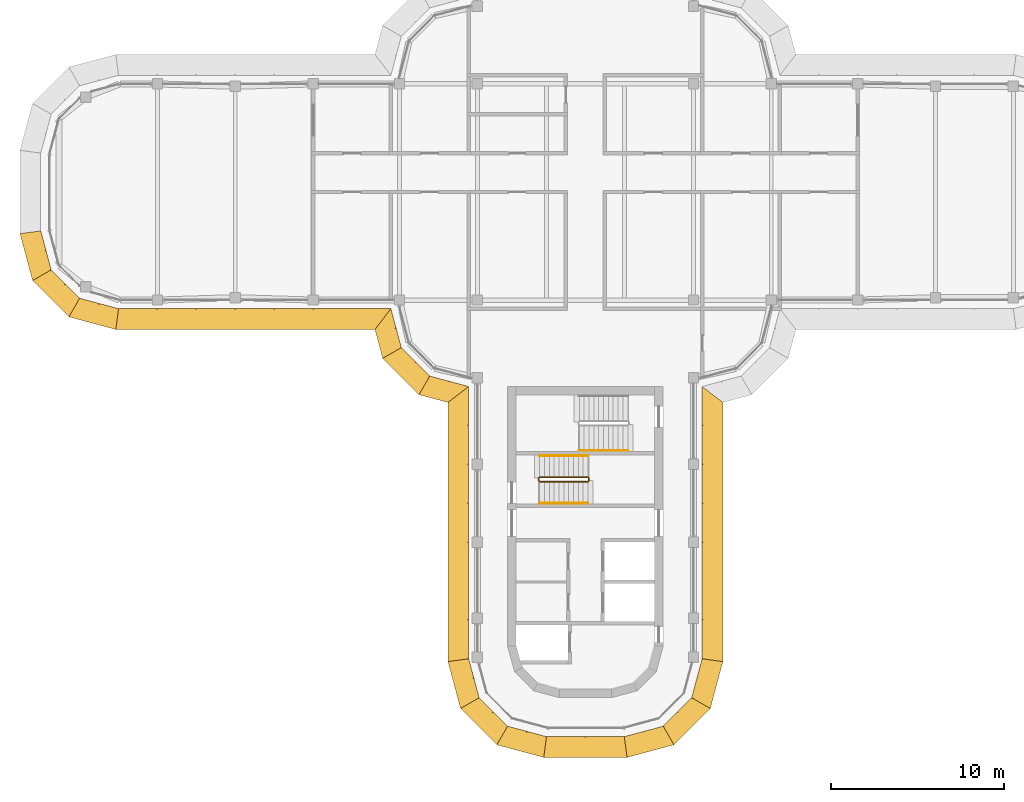
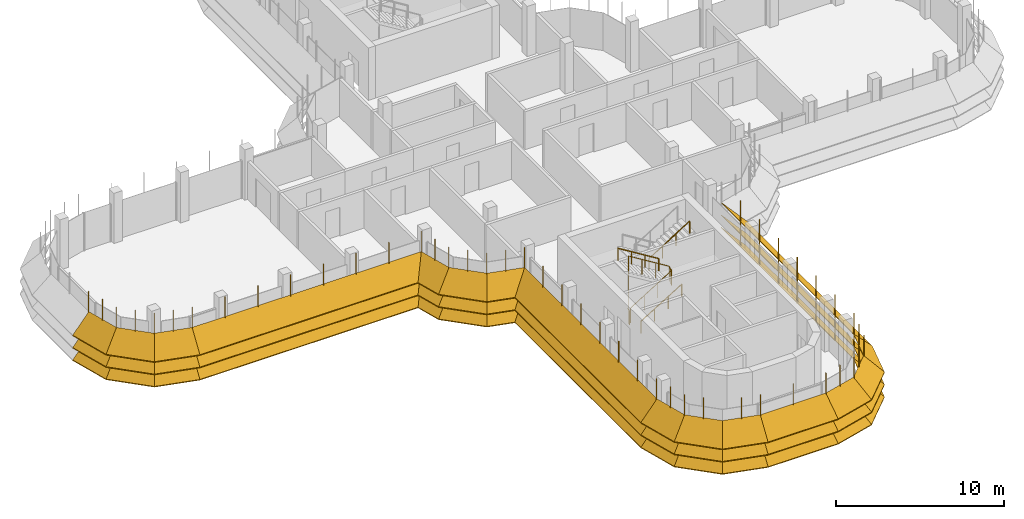
# One storey, part 16 of 19: 8 shading devices, 4 railings.
"""IFC4 building model written with IfcOpenShell, lengths in metres."""

from ifc_helpers import new_model, si_unit, direction, frame, origin, origin_2d, place, context, subcontext, project, spatial, polyline, circle, outline, extrude, faceted_brep, source, transform, mapped, material, type_object, element, save


model = new_model("IFC4")

# Units and contexts
model_context = context("Model", 3, precision=1e-05, world=origin(), true_north=direction((0.0, 1.0)))
body_context = subcontext(model_context, "Body", "Model", "MODEL_VIEW")
ifc_project = project(units=[si_unit("LENGTHUNIT", "METRE"), si_unit("AREAUNIT", "SQUARE_METRE"), si_unit("VOLUMEUNIT", "CUBIC_METRE"), si_unit("PLANEANGLEUNIT", "RADIAN"), si_unit("MASSUNIT", "GRAM", prefix="KILO")], contexts=[model_context])

# Site, building, storey
site_placement = place(None, origin())
site = spatial("IfcSite", under=ifc_project, at=site_placement, CompositionType="ELEMENT")
building_placement = place(site_placement, origin())
building = spatial("IfcBuilding", under=site, at=building_placement, Name="Zarbagh Exchange Tower", CompositionType="ELEMENT")
storey_placement = place(building_placement, frame((0.0, 0.0, 253.60009765625)))
storey = spatial("IfcBuildingStorey", under=building, at=storey_placement, Name="L62", CompositionType="ELEMENT", Elevation=253.60009765625)

# Railings
ifc_material_1 = material(Name="Stainless steel", Category="steel")
railing_type_1 = type_object("IfcRailingType", Name="Stair guard 1100 mm", PredefinedType="GUARDRAIL", material=ifc_material_1)
railing_1_placement = place(storey_placement, frame((-2.64990234375, -16.75, 0.172607421875)))
element("IfcRailing", 1, at=railing_1_placement, inside=storey, type_object=railing_type_1, Name="ST3 stair guard 1", PredefinedType="GUARDRAIL", context=body_context, shape_type="SweptSolid", body=[
    extrude(circle(Radius=0.02392578125, at=origin_2d()), frame((0.0, 0.0, 1.076171875), z_axis=(0.851069175582, 0.0, 0.525053576669), x_axis=(0.0, 1.0, 0.0)), (0.0, 0.0, 1.0), 3.289794921875),
    extrude(circle(Radius=0.02392578125, at=origin_2d()), frame((2.7998046875, 0.0, 2.80322265625), z_axis=(0.707106781187, 0.707106781187, 0.0), x_axis=(-0.707106781187, 0.707106781187, 0.0)), (0.0, 0.0, 1.0), 0.07080078125),
    extrude(circle(Radius=0.02392578125, at=origin_2d()), frame((2.849853515625, 0.050048828125, 2.80322265625), z_axis=(0.0, 1.0, 0.0), x_axis=(-1.0, 0.0, 0.0)), (0.0, 0.0, 1.0), 0.14990234375),
    extrude(circle(Radius=0.02392578125, at=origin_2d()), frame((2.849853515625, 0.199951171875, 2.80322265625), z_axis=(-0.268277960024, 0.268277960024, 0.925231793839), x_axis=(-0.707106781187, -0.707106781187, 0.0)), (0.0, 0.0, 1.0), 0.1865234375),
    extrude(circle(Radius=0.02392578125, at=origin_2d()), frame((2.7998046875, 0.25, 2.97607421875), z_axis=(-0.851069175582, 0.0, 0.525053576669), x_axis=(0.0, -1.0, 0.0)), (0.0, 0.0, 1.0), 3.289794921875),
    extrude(circle(Radius=0.02392578125, at=origin_2d()), frame((0.0, 0.25, 4.703125), z_axis=(-0.013169136761, -0.013169136761, -0.999826558796), x_axis=(0.707106781187, -0.707106781187, 0.0)), (0.0, 0.0, 1.0), 3.800537109375),
    extrude(circle(Radius=0.02392578125, at=origin_2d()), frame((-0.050048828125, 0.199951171875, 0.9033203125), z_axis=(0.0, -1.0, 0.0), x_axis=(1.0, 0.0, 0.0)), (0.0, 0.0, 1.0), 0.14990234375),
    extrude(circle(Radius=0.02099609375, at=origin_2d()), origin(), (0.0, 0.0, 1.0), 1.052001953125),
    extrude(circle(Radius=0.02099609375, at=origin_2d()), frame((0.933349609375, 0.0, 0.57568359375)), (0.0, 0.0, 1.0), 1.052001953125),
    extrude(circle(Radius=0.02099609375, at=origin_2d()), frame((1.866455078125, 0.0, 1.151611328125)), (0.0, 0.0, 1.0), 1.052001953125),
    extrude(circle(Radius=0.02099609375, at=origin_2d()), frame((2.7998046875, 0.0, 1.727294921875)), (0.0, 0.0, 1.0), 1.052001953125),
    extrude(circle(Radius=0.02099609375, at=origin_2d()), frame((2.849853515625, 0.050048828125, 1.727294921875)), (0.0, 0.0, 1.0), 1.052001953125),
    extrude(circle(Radius=0.02099609375, at=origin_2d()), frame((2.849853515625, 0.199951171875, 1.727294921875)), (0.0, 0.0, 1.0), 1.052001953125),
    extrude(circle(Radius=0.02099609375, at=origin_2d()), frame((2.7998046875, 0.25, 1.89990234375)), (0.0, 0.0, 1.0), 1.052001953125),
    extrude(circle(Radius=0.02099609375, at=origin_2d()), frame((1.866455078125, 0.25, 2.4755859375)), (0.0, 0.0, 1.0), 1.052001953125),
    extrude(circle(Radius=0.02099609375, at=origin_2d()), frame((0.933349609375, 0.25, 3.051513671875)), (0.0, 0.0, 1.0), 1.052001953125),
    extrude(circle(Radius=0.02099609375, at=origin_2d()), frame((0.0, 0.25, 3.627197265625)), (0.0, 0.0, 1.0), 1.052001953125),
    extrude(circle(Radius=0.02099609375, at=origin_2d()), frame((-0.012451171875, 0.237548828125, 2.67724609375)), (0.0, 0.0, 1.0), 1.052001953125),
    extrude(circle(Radius=0.02099609375, at=origin_2d()), frame((-0.02490234375, 0.22509765625, 1.727294921875)), (0.0, 0.0, 1.0), 1.052001953125),
    extrude(circle(Radius=0.02099609375, at=origin_2d()), frame((-0.03759765625, 0.21240234375, 0.77734375)), (0.0, 0.0, 1.0), 1.052001953125),
    extrude(circle(Radius=0.02099609375, at=origin_2d()), frame((-0.050048828125, 0.199951171875, -0.172607421875)), (0.0, 0.0, 1.0), 1.052001953125),
    extrude(circle(Radius=0.02099609375, at=origin_2d()), frame((-0.050048828125, 0.050048828125, -0.172607421875)), (0.0, 0.0, 1.0), 1.052001953125),
])
railing_type_2 = type_object("IfcRailingType", Name="Stair handrail 900 mm", PredefinedType="HANDRAIL", material=ifc_material_1)
railing_2_placement = place(storey_placement, frame((-2.64990234375, -18.0, 0.172607421875)))
element("IfcRailing", 2, at=railing_2_placement, inside=storey, type_object=railing_type_2, Name="ST3 stair handrail 1", PredefinedType="HANDRAIL", context=body_context, shape_type="SweptSolid", body=[
    extrude(circle(Radius=0.02392578125, at=origin_2d()), frame((0.0, 0.0, 0.8759765625), z_axis=(0.851069175582, 0.0, 0.525053576669), x_axis=(0.0, 1.0, 0.0)), (0.0, 0.0, 1.0), 3.289794921875),
    extrude(circle(Radius=0.02099609375, at=origin_2d()), origin(), (0.0, 0.0, 1.0), 0.851806640625),
    extrude(circle(Radius=0.02099609375, at=origin_2d()), frame((0.933349609375, 0.0, 0.57568359375)), (0.0, 0.0, 1.0), 0.851806640625),
    extrude(circle(Radius=0.02099609375, at=origin_2d()), frame((1.866455078125, 0.0, 1.151611328125)), (0.0, 0.0, 1.0), 0.851806640625),
    extrude(circle(Radius=0.02099609375, at=origin_2d()), frame((2.7998046875, 0.0, 1.727294921875)), (0.0, 0.0, 1.0), 0.851806640625),
])
railing_3_placement = place(storey_placement, frame((0.14990234375, -15.25, 2.072509765625)))
element("IfcRailing", 3, at=railing_3_placement, inside=storey, type_object=railing_type_2, Name="ST3 stair handrail 2", PredefinedType="HANDRAIL", context=body_context, shape_type="SweptSolid", body=[
    extrude(circle(Radius=0.02392578125, at=origin_2d()), frame((0.0, 0.0, 0.8759765625), z_axis=(-0.851069175582, 0.0, 0.525053576669), x_axis=(0.0, -1.0, 0.0)), (0.0, 0.0, 1.0), 3.289794921875),
    extrude(circle(Radius=0.02099609375, at=origin_2d()), origin(), (0.0, 0.0, 1.0), 0.851806640625),
    extrude(circle(Radius=0.02099609375, at=origin_2d()), frame((-0.933349609375, 0.0, 0.57568359375)), (0.0, 0.0, 1.0), 0.851806640625),
    extrude(circle(Radius=0.02099609375, at=origin_2d()), frame((-1.866455078125, 0.0, 1.151611328125)), (0.0, 0.0, 1.0), 0.851806640625),
    extrude(circle(Radius=0.02099609375, at=origin_2d()), frame((-2.7998046875, 0.0, 1.727294921875)), (0.0, 0.0, 1.0), 0.851806640625),
])
railing_4_placement = place(storey_placement, frame((-0.35009765625, -14.949951171875, 2.072509765625)))
element("IfcRailing", 4, at=railing_4_placement, inside=storey, type_object=railing_type_2, Name="ST4 stair handrail 2", PredefinedType="HANDRAIL", context=body_context, shape_type="SweptSolid", body=[
    extrude(circle(Radius=0.02392578125, at=origin_2d()), frame((0.0, 0.0, 0.8759765625), z_axis=(0.851089632645, 0.0, 0.525020415988), x_axis=(0.0, 1.0, 0.0)), (0.0, 0.0, 1.0), 3.2900390625),
    extrude(circle(Radius=0.02099609375, at=origin_2d()), origin(), (0.0, 0.0, 1.0), 0.851806640625),
    extrude(circle(Radius=0.02099609375, at=origin_2d()), frame((0.933349609375, 0.0, 0.57568359375)), (0.0, 0.0, 1.0), 0.851806640625),
    extrude(circle(Radius=0.02099609375, at=origin_2d()), frame((1.86669921875, 0.0, 1.151611328125)), (0.0, 0.0, 1.0), 0.851806640625),
    extrude(circle(Radius=0.02099609375, at=origin_2d()), frame((2.800048828125, 0.0, 1.727294921875)), (0.0, 0.0, 1.0), 0.851806640625),
])

# Shading devices
ifc_material_2 = material(Name="Anodised aluminium blades and brackets", Category="aluminium")
shading_device_type = type_object("IfcShadingDeviceType", Name="SUNSHADE louvre band, 45 degree blades", PredefinedType="JALOUSIE", material=ifc_material_2)
shared_shape_1 = source(origin(), body_context, "Body", "Brep", [
    faceted_brep([(0.0, 0.0, 0.0), (0.0, 0.0, -0.056640625), (-0.157958984375, -1.199951171875, -1.256591796875), (-0.157958984375, -1.199951171875, -1.199951171875), (2.65087890625, -1.199951171875, -1.199951171875), (2.65087890625, -1.199951171875, -1.256591796875), (2.329345703125, 0.0, -0.056640625), (2.329345703125, 0.0, 0.0)], [[[0, 1, 2, 3]], [[4, 5, 6, 7]], [[0, 7, 6, 1]], [[1, 6, 5, 2]], [[2, 5, 4, 3]], [[3, 4, 7, 0]]]),
])
shared_shape_2 = source(origin(), body_context, "Body", "Brep", [
    faceted_brep([(0.0, 0.0, 0.0), (0.0, 0.0, -0.056640625), (-0.321533203125, -1.199951171875, -1.256591796875), (-0.321533203125, -1.199951171875, -1.199951171875), (2.65087890625, -1.199951171875, -1.199951171875), (2.65087890625, -1.199951171875, -1.256591796875), (2.329345703125, 0.0, -0.056640625), (2.329345703125, 0.0, 0.0)], [[[0, 1, 2, 3]], [[4, 5, 6, 7]], [[0, 7, 6, 1]], [[1, 6, 5, 2]], [[2, 5, 4, 3]], [[3, 4, 7, 0]]]),
])
shared_shape_3 = source(origin(), body_context, "Body", "Brep", [
    faceted_brep([(0.0, 0.0, 0.0), (0.0, 0.0, -0.056640625), (-0.321533203125, -1.199951171875, -1.256591796875), (-0.321533203125, -1.199951171875, -1.199951171875), (2.4873046875, -1.199951171875, -1.199951171875), (2.4873046875, -1.199951171875, -1.256591796875), (2.329345703125, 0.0, -0.056640625), (2.329345703125, 0.0, 0.0)], [[[0, 1, 2, 3]], [[4, 5, 6, 7]], [[0, 7, 6, 1]], [[1, 6, 5, 2]], [[2, 5, 4, 3]], [[3, 4, 7, 0]]]),
])
shared_shape_4 = source(origin(), body_context, "Body", "SweptSolid", [
    extrude(outline(polyline([(0.0, -0.012451171875), (0.06005859375, -0.012451171875), (0.06005859375, 0.012451171875), (0.0, 0.012451171875), (0.0, -0.012451171875)])), origin(), (0.0, 0.0, 1.0), 3.366455078125),
])
placement = place(storey_placement, origin())
element("IfcShadingDevice", 5, at=placement, inside=storey, type_object=shading_device_type, Name="SS35 sunshade band", PredefinedType="JALOUSIE", context=body_context, shape_type="MappedRepresentation", body=[
    mapped(shared_shape_1, transform((2.25, -31.5, 2.2998046875), x_axis=(0.965924289636, 0.258824779902, 0.0), y_axis=(-0.258824779902, 0.965924289636, 0.0), z_axis=(0.0, 0.0, 1.0))),
    mapped(shared_shape_1, transform((2.25, -31.5, 1.39990234375), x_axis=(0.965924289636, 0.258824779902, 0.0), y_axis=(-0.258824779902, 0.965924289636, 0.0), z_axis=(0.0, 0.0, 1.0))),
    mapped(shared_shape_1, transform((2.25, -31.5, 0.5), x_axis=(0.965924289636, 0.258824779902, 0.0), y_axis=(-0.258824779902, 0.965924289636, 0.0), z_axis=(0.0, 0.0, 1.0))),
    mapped(shared_shape_2, transform((4.5, -30.897216796875, 2.2998046875), x_axis=(0.707106781187, 0.707106781187, 0.0), y_axis=(-0.707106781187, 0.707106781187, 0.0), z_axis=(0.0, 0.0, 1.0))),
    mapped(shared_shape_2, transform((4.5, -30.897216796875, 1.39990234375), x_axis=(0.707106781187, 0.707106781187, 0.0), y_axis=(-0.707106781187, 0.707106781187, 0.0), z_axis=(0.0, 0.0, 1.0))),
    mapped(shared_shape_2, transform((4.5, -30.897216796875, 0.5), x_axis=(0.707106781187, 0.707106781187, 0.0), y_axis=(-0.707106781187, 0.707106781187, 0.0), z_axis=(0.0, 0.0, 1.0))),
    mapped(shared_shape_3, transform((6.147216796875, -29.25, 2.2998046875), x_axis=(0.258824779902, 0.965924289636, 0.0), y_axis=(-0.965924289636, 0.258824779902, 0.0), z_axis=(0.0, 0.0, 1.0))),
    mapped(shared_shape_3, transform((6.147216796875, -29.25, 1.39990234375), x_axis=(0.258824779902, 0.965924289636, 0.0), y_axis=(-0.965924289636, 0.258824779902, 0.0), z_axis=(0.0, 0.0, 1.0))),
    mapped(shared_shape_3, transform((6.147216796875, -29.25, 0.5), x_axis=(0.258824779902, 0.965924289636, 0.0), y_axis=(-0.965924289636, 0.258824779902, 0.0), z_axis=(0.0, 0.0, 1.0))),
    mapped(shared_shape_4, transform((2.25, -31.5, 0.413330078125), x_axis=(0.130529263012, -0.991444457092, 0.0), y_axis=(0.991444457092, 0.130529263012, 0.0), z_axis=(0.0, 0.0, 1.0))),
    mapped(shared_shape_4, transform((3.375, -31.198486328125, 0.413330078125), x_axis=(0.258825058029, -0.96592421511, 0.0), y_axis=(0.96592421511, 0.258825058029, 0.0), z_axis=(0.0, 0.0, 1.0))),
    mapped(shared_shape_4, transform((4.5, -30.897216796875, 0.413330078125), x_axis=(0.50000275701, -0.866023812018, 0.0), y_axis=(0.866023812018, 0.50000275701, 0.0), z_axis=(0.0, 0.0, 1.0))),
    mapped(shared_shape_4, transform((5.323486328125, -30.073486328125, 0.413330078125), x_axis=(0.707106781187, -0.707106781187, 0.0), y_axis=(0.707106781187, 0.707106781187, 0.0), z_axis=(0.0, 0.0, 1.0))),
    mapped(shared_shape_4, transform((6.147216796875, -29.25, 0.413330078125), x_axis=(0.866023812018, -0.50000275701, 0.0), y_axis=(0.50000275701, 0.866023812018, 0.0), z_axis=(0.0, 0.0, 1.0))),
    mapped(shared_shape_4, transform((6.448486328125, -28.125, 0.413330078125), x_axis=(0.96592421511, -0.258825058029, 0.0), y_axis=(0.258825058029, 0.96592421511, 0.0), z_axis=(0.0, 0.0, 1.0))),
])
element("IfcShadingDevice", 6, at=placement, inside=storey, type_object=shading_device_type, Name="SS43 sunshade band", PredefinedType="JALOUSIE", context=body_context, shape_type="MappedRepresentation", body=[
    mapped(shared_shape_1, transform((-31.5, -2.25, 2.2998046875), x_axis=(0.258824779902, -0.965924289636, 0.0), y_axis=(0.965924289636, 0.258824779902, 0.0), z_axis=(0.0, 0.0, 1.0))),
    mapped(shared_shape_1, transform((-31.5, -2.25, 1.39990234375), x_axis=(0.258824779902, -0.965924289636, 0.0), y_axis=(0.965924289636, 0.258824779902, 0.0), z_axis=(0.0, 0.0, 1.0))),
    mapped(shared_shape_1, transform((-31.5, -2.25, 0.5), x_axis=(0.258824779902, -0.965924289636, 0.0), y_axis=(0.965924289636, 0.258824779902, 0.0), z_axis=(0.0, 0.0, 1.0))),
    mapped(shared_shape_2, transform((-30.897216796875, -4.5, 2.2998046875), x_axis=(0.707106781187, -0.707106781187, 0.0), y_axis=(0.707106781187, 0.707106781187, 0.0), z_axis=(0.0, 0.0, 1.0))),
    mapped(shared_shape_2, transform((-30.897216796875, -4.5, 1.39990234375), x_axis=(0.707106781187, -0.707106781187, 0.0), y_axis=(0.707106781187, 0.707106781187, 0.0), z_axis=(0.0, 0.0, 1.0))),
    mapped(shared_shape_2, transform((-30.897216796875, -4.5, 0.5), x_axis=(0.707106781187, -0.707106781187, 0.0), y_axis=(0.707106781187, 0.707106781187, 0.0), z_axis=(0.0, 0.0, 1.0))),
    mapped(shared_shape_3, transform((-29.25, -6.147216796875, 2.2998046875), x_axis=(0.965924289636, -0.258824779902, 0.0), y_axis=(0.258824779902, 0.965924289636, 0.0), z_axis=(0.0, 0.0, 1.0))),
    mapped(shared_shape_3, transform((-29.25, -6.147216796875, 1.39990234375), x_axis=(0.965924289636, -0.258824779902, 0.0), y_axis=(0.258824779902, 0.965924289636, 0.0), z_axis=(0.0, 0.0, 1.0))),
    mapped(shared_shape_3, transform((-29.25, -6.147216796875, 0.5), x_axis=(0.965924289636, -0.258824779902, 0.0), y_axis=(0.258824779902, 0.965924289636, 0.0), z_axis=(0.0, 0.0, 1.0))),
    mapped(shared_shape_4, transform((-31.5, -2.25, 0.413330078125), x_axis=(-0.991444457092, -0.130529263012, 0.0), y_axis=(0.130529263012, -0.991444457092, 0.0), z_axis=(0.0, 0.0, 1.0))),
    mapped(shared_shape_4, transform((-31.198486328125, -3.375, 0.413330078125), x_axis=(-0.96592421511, -0.258825058029, 0.0), y_axis=(0.258825058029, -0.96592421511, 0.0), z_axis=(0.0, 0.0, 1.0))),
    mapped(shared_shape_4, transform((-30.897216796875, -4.5, 0.413330078125), x_axis=(-0.866023812018, -0.50000275701, 0.0), y_axis=(0.50000275701, -0.866023812018, 0.0), z_axis=(0.0, 0.0, 1.0))),
    mapped(shared_shape_4, transform((-30.073486328125, -5.323486328125, 0.413330078125), x_axis=(-0.707106781187, -0.707106781187, 0.0), y_axis=(0.707106781187, -0.707106781187, 0.0), z_axis=(0.0, 0.0, 1.0))),
    mapped(shared_shape_4, transform((-29.25, -6.147216796875, 0.413330078125), x_axis=(-0.50000275701, -0.866023812018, 0.0), y_axis=(0.866023812018, -0.50000275701, 0.0), z_axis=(0.0, 0.0, 1.0))),
    mapped(shared_shape_4, transform((-28.125, -6.448486328125, 0.413330078125), x_axis=(-0.258825058029, -0.96592421511, 0.0), y_axis=(0.96592421511, -0.258825058029, 0.0), z_axis=(0.0, 0.0, 1.0))),
])
element("IfcShadingDevice", 7, at=placement, inside=storey, type_object=shading_device_type, Name="SS38 sunshade band", PredefinedType="JALOUSIE", context=body_context, shape_type="MappedRepresentation", body=[
    mapped(shared_shape_1, transform((-6.75, -27.0, 2.2998046875), x_axis=(0.258824779902, -0.965924289636, 0.0), y_axis=(0.965924289636, 0.258824779902, 0.0), z_axis=(0.0, 0.0, 1.0))),
    mapped(shared_shape_1, transform((-6.75, -27.0, 1.39990234375), x_axis=(0.258824779902, -0.965924289636, 0.0), y_axis=(0.965924289636, 0.258824779902, 0.0), z_axis=(0.0, 0.0, 1.0))),
    mapped(shared_shape_1, transform((-6.75, -27.0, 0.5), x_axis=(0.258824779902, -0.965924289636, 0.0), y_axis=(0.965924289636, 0.258824779902, 0.0), z_axis=(0.0, 0.0, 1.0))),
    mapped(shared_shape_2, transform((-6.147216796875, -29.25, 2.2998046875), x_axis=(0.707106781187, -0.707106781187, 0.0), y_axis=(0.707106781187, 0.707106781187, 0.0), z_axis=(0.0, 0.0, 1.0))),
    mapped(shared_shape_2, transform((-6.147216796875, -29.25, 1.39990234375), x_axis=(0.707106781187, -0.707106781187, 0.0), y_axis=(0.707106781187, 0.707106781187, 0.0), z_axis=(0.0, 0.0, 1.0))),
    mapped(shared_shape_2, transform((-6.147216796875, -29.25, 0.5), x_axis=(0.707106781187, -0.707106781187, 0.0), y_axis=(0.707106781187, 0.707106781187, 0.0), z_axis=(0.0, 0.0, 1.0))),
    mapped(shared_shape_3, transform((-4.5, -30.897216796875, 2.2998046875), x_axis=(0.965924289636, -0.258824779902, 0.0), y_axis=(0.258824779902, 0.965924289636, 0.0), z_axis=(0.0, 0.0, 1.0))),
    mapped(shared_shape_3, transform((-4.5, -30.897216796875, 1.39990234375), x_axis=(0.965924289636, -0.258824779902, 0.0), y_axis=(0.258824779902, 0.965924289636, 0.0), z_axis=(0.0, 0.0, 1.0))),
    mapped(shared_shape_3, transform((-4.5, -30.897216796875, 0.5), x_axis=(0.965924289636, -0.258824779902, 0.0), y_axis=(0.258824779902, 0.965924289636, 0.0), z_axis=(0.0, 0.0, 1.0))),
    mapped(shared_shape_4, transform((-6.75, -27.0, 0.413330078125), x_axis=(-0.991444457092, -0.130529263012, 0.0), y_axis=(0.130529263012, -0.991444457092, 0.0), z_axis=(0.0, 0.0, 1.0))),
    mapped(shared_shape_4, transform((-6.448486328125, -28.125, 0.413330078125), x_axis=(-0.96592421511, -0.258825058029, 0.0), y_axis=(0.258825058029, -0.96592421511, 0.0), z_axis=(0.0, 0.0, 1.0))),
    mapped(shared_shape_4, transform((-6.147216796875, -29.25, 0.413330078125), x_axis=(-0.866023812018, -0.50000275701, 0.0), y_axis=(0.50000275701, -0.866023812018, 0.0), z_axis=(0.0, 0.0, 1.0))),
    mapped(shared_shape_4, transform((-5.323486328125, -30.073486328125, 0.413330078125), x_axis=(-0.707106781187, -0.707106781187, 0.0), y_axis=(0.707106781187, -0.707106781187, 0.0), z_axis=(0.0, 0.0, 1.0))),
    mapped(shared_shape_4, transform((-4.5, -30.897216796875, 0.413330078125), x_axis=(-0.50000275701, -0.866023812018, 0.0), y_axis=(0.866023812018, -0.50000275701, 0.0), z_axis=(0.0, 0.0, 1.0))),
    mapped(shared_shape_4, transform((-3.375, -31.198486328125, 0.413330078125), x_axis=(-0.258825058029, -0.96592421511, 0.0), y_axis=(0.96592421511, -0.258825058029, 0.0), z_axis=(0.0, 0.0, 1.0))),
])
shared_shape_5 = source(origin(), body_context, "Body", "Brep", [
    faceted_brep([(0.0, 0.0, 0.0), (0.0, 0.0, -0.056640625), (0.9208984375, -1.199951171875, -1.256591796875), (0.9208984375, -1.199951171875, -1.199951171875), (2.65087890625, -1.199951171875, -1.199951171875), (2.65087890625, -1.199951171875, -1.256591796875), (2.329345703125, 0.0, -0.056640625), (2.329345703125, 0.0, 0.0)], [[[0, 1, 2, 3]], [[4, 5, 6, 7]], [[0, 7, 6, 1]], [[1, 6, 5, 2]], [[2, 5, 4, 3]], [[3, 4, 7, 0]]]),
])
shared_shape_6 = source(origin(), body_context, "Body", "Brep", [
    faceted_brep([(0.0, 0.0, 0.0), (0.0, 0.0, -0.056640625), (-0.321533203125, -1.199951171875, -1.256591796875), (-0.321533203125, -1.199951171875, -1.199951171875), (1.40869140625, -1.199951171875, -1.199951171875), (1.40869140625, -1.199951171875, -1.256591796875), (2.329345703125, 0.0, -0.056640625), (2.329345703125, 0.0, 0.0)], [[[0, 1, 2, 3]], [[4, 5, 6, 7]], [[0, 7, 6, 1]], [[1, 6, 5, 2]], [[2, 5, 4, 3]], [[3, 4, 7, 0]]]),
])
element("IfcShadingDevice", 8, at=placement, inside=storey, type_object=shading_device_type, Name="SS21 sunshade band", PredefinedType="JALOUSIE", context=body_context, shape_type="MappedRepresentation", body=[
    mapped(shared_shape_5, transform((-11.25, -6.75, 2.2998046875), x_axis=(0.258824779902, -0.965924289636, 0.0), y_axis=(0.965924289636, 0.258824779902, 0.0), z_axis=(0.0, 0.0, 1.0))),
    mapped(shared_shape_5, transform((-11.25, -6.75, 1.39990234375), x_axis=(0.258824779902, -0.965924289636, 0.0), y_axis=(0.965924289636, 0.258824779902, 0.0), z_axis=(0.0, 0.0, 1.0))),
    mapped(shared_shape_5, transform((-11.25, -6.75, 0.5), x_axis=(0.258824779902, -0.965924289636, 0.0), y_axis=(0.965924289636, 0.258824779902, 0.0), z_axis=(0.0, 0.0, 1.0))),
    mapped(shared_shape_2, transform((-10.647216796875, -9.0, 2.2998046875), x_axis=(0.707106781187, -0.707106781187, 0.0), y_axis=(0.707106781187, 0.707106781187, 0.0), z_axis=(0.0, 0.0, 1.0))),
    mapped(shared_shape_2, transform((-10.647216796875, -9.0, 1.39990234375), x_axis=(0.707106781187, -0.707106781187, 0.0), y_axis=(0.707106781187, 0.707106781187, 0.0), z_axis=(0.0, 0.0, 1.0))),
    mapped(shared_shape_2, transform((-10.647216796875, -9.0, 0.5), x_axis=(0.707106781187, -0.707106781187, 0.0), y_axis=(0.707106781187, 0.707106781187, 0.0), z_axis=(0.0, 0.0, 1.0))),
    mapped(shared_shape_6, transform((-9.0, -10.647216796875, 2.2998046875), x_axis=(0.965924289636, -0.258824779902, 0.0), y_axis=(0.258824779902, 0.965924289636, 0.0), z_axis=(0.0, 0.0, 1.0))),
    mapped(shared_shape_6, transform((-9.0, -10.647216796875, 1.39990234375), x_axis=(0.965924289636, -0.258824779902, 0.0), y_axis=(0.258824779902, 0.965924289636, 0.0), z_axis=(0.0, 0.0, 1.0))),
    mapped(shared_shape_6, transform((-9.0, -10.647216796875, 0.5), x_axis=(0.965924289636, -0.258824779902, 0.0), y_axis=(0.258824779902, 0.965924289636, 0.0), z_axis=(0.0, 0.0, 1.0))),
    mapped(shared_shape_4, transform((-11.25, -6.75, 0.413330078125), x_axis=(-0.608758892, -0.793355287, 0.0), y_axis=(0.793355287, -0.608758892, 0.0), z_axis=(0.0, 0.0, 1.0))),
    mapped(shared_shape_4, transform((-10.948486328125, -7.875, 0.413330078125), x_axis=(-0.96592421511, -0.258825058029, 0.0), y_axis=(0.258825058029, -0.96592421511, 0.0), z_axis=(0.0, 0.0, 1.0))),
    mapped(shared_shape_4, transform((-10.647216796875, -9.0, 0.413330078125), x_axis=(-0.866023812018, -0.50000275701, 0.0), y_axis=(0.50000275701, -0.866023812018, 0.0), z_axis=(0.0, 0.0, 1.0))),
    mapped(shared_shape_4, transform((-9.823486328125, -9.823486328125, 0.413330078125), x_axis=(-0.707106781187, -0.707106781187, 0.0), y_axis=(0.707106781187, -0.707106781187, 0.0), z_axis=(0.0, 0.0, 1.0))),
    mapped(shared_shape_4, transform((-9.0, -10.647216796875, 0.413330078125), x_axis=(-0.50000275701, -0.866023812018, 0.0), y_axis=(0.866023812018, -0.50000275701, 0.0), z_axis=(0.0, 0.0, 1.0))),
    mapped(shared_shape_4, transform((-7.875, -10.948486328125, 0.413330078125), x_axis=(-0.258825058029, -0.96592421511, 0.0), y_axis=(0.96592421511, -0.258825058029, 0.0), z_axis=(0.0, 0.0, 1.0))),
])
shared_shape_7 = source(origin(), body_context, "Body", "Brep", [
    faceted_brep([(0.0, 0.0, 0.0), (0.0, 0.0, -0.056640625), (-0.157958984375, -1.199951171875, -1.256591796875), (-0.157958984375, -1.199951171875, -1.199951171875), (14.8291015625, -1.199951171875, -1.199951171875), (14.8291015625, -1.199951171875, -1.256591796875), (15.75, 0.0, -0.056640625), (15.75, 0.0, 0.0)], [[[0, 1, 2, 3]], [[4, 5, 6, 7]], [[0, 7, 6, 1]], [[1, 6, 5, 2]], [[2, 5, 4, 3]], [[3, 4, 7, 0]]]),
])
element("IfcShadingDevice", 9, at=placement, inside=storey, type_object=shading_device_type, Name="SS36 sunshade band", PredefinedType="JALOUSIE", context=body_context, shape_type="MappedRepresentation", body=[
    mapped(shared_shape_7, transform((6.75, -27.0, 2.2998046875), x_axis=(0.0, 1.0, 0.0), y_axis=(-1.0, 0.0, 0.0), z_axis=(0.0, 0.0, 1.0))),
    mapped(shared_shape_7, transform((6.75, -27.0, 1.39990234375), x_axis=(0.0, 1.0, 0.0), y_axis=(-1.0, 0.0, 0.0), z_axis=(0.0, 0.0, 1.0))),
    mapped(shared_shape_7, transform((6.75, -27.0, 0.5), x_axis=(0.0, 1.0, 0.0), y_axis=(-1.0, 0.0, 0.0), z_axis=(0.0, 0.0, 1.0))),
    mapped(shared_shape_4, transform((6.75, -27.0, 0.413330078125), x_axis=(0.991444457092, -0.130529263012, 0.0), y_axis=(0.130529263012, 0.991444457092, 0.0), z_axis=(0.0, 0.0, 1.0))),
    mapped(shared_shape_4, transform((6.75, -24.75, 0.413330078125), x_axis=(1.0, 0.0, 0.0), y_axis=(0.0, 1.0, 0.0), z_axis=(0.0, 0.0, 1.0))),
    mapped(shared_shape_4, transform((6.75, -22.5, 0.413330078125), x_axis=(1.0, 0.0, 0.0), y_axis=(0.0, 1.0, 0.0), z_axis=(0.0, 0.0, 1.0))),
    mapped(shared_shape_4, transform((6.75, -20.25, 0.413330078125), x_axis=(1.0, 0.0, 0.0), y_axis=(0.0, 1.0, 0.0), z_axis=(0.0, 0.0, 1.0))),
    mapped(shared_shape_4, transform((6.75, -18.0, 0.413330078125), x_axis=(1.0, 0.0, 0.0), y_axis=(0.0, 1.0, 0.0), z_axis=(0.0, 0.0, 1.0))),
    mapped(shared_shape_4, transform((6.75, -15.75, 0.413330078125), x_axis=(1.0, 0.0, 0.0), y_axis=(0.0, 1.0, 0.0), z_axis=(0.0, 0.0, 1.0))),
    mapped(shared_shape_4, transform((6.75, -13.5, 0.413330078125), x_axis=(1.0, 0.0, 0.0), y_axis=(0.0, 1.0, 0.0), z_axis=(0.0, 0.0, 1.0))),
])
element("IfcShadingDevice", 10, at=placement, inside=storey, type_object=shading_device_type, Name="SS44 sunshade band", PredefinedType="JALOUSIE", context=body_context, shape_type="MappedRepresentation", body=[
    mapped(shared_shape_7, transform((-27.0, -6.75, 2.2998046875), x_axis=(1.0, 0.0, 0.0), y_axis=(0.0, 1.0, 0.0), z_axis=(0.0, 0.0, 1.0))),
    mapped(shared_shape_7, transform((-27.0, -6.75, 1.39990234375), x_axis=(1.0, 0.0, 0.0), y_axis=(0.0, 1.0, 0.0), z_axis=(0.0, 0.0, 1.0))),
    mapped(shared_shape_7, transform((-27.0, -6.75, 0.5), x_axis=(1.0, 0.0, 0.0), y_axis=(0.0, 1.0, 0.0), z_axis=(0.0, 0.0, 1.0))),
    mapped(shared_shape_4, transform((-27.0, -6.75, 0.413330078125), x_axis=(-0.130529263012, -0.991444457092, 0.0), y_axis=(0.991444457092, -0.130529263012, 0.0), z_axis=(0.0, 0.0, 1.0))),
    mapped(shared_shape_4, transform((-24.75, -6.75, 0.413330078125), x_axis=(0.0, -1.0, 0.0), y_axis=(1.0, 0.0, 0.0), z_axis=(0.0, 0.0, 1.0))),
    mapped(shared_shape_4, transform((-22.5, -6.75, 0.413330078125), x_axis=(0.0, -1.0, 0.0), y_axis=(1.0, 0.0, 0.0), z_axis=(0.0, 0.0, 1.0))),
    mapped(shared_shape_4, transform((-20.25, -6.75, 0.413330078125), x_axis=(0.0, -1.0, 0.0), y_axis=(1.0, 0.0, 0.0), z_axis=(0.0, 0.0, 1.0))),
    mapped(shared_shape_4, transform((-18.0, -6.75, 0.413330078125), x_axis=(0.0, -1.0, 0.0), y_axis=(1.0, 0.0, 0.0), z_axis=(0.0, 0.0, 1.0))),
    mapped(shared_shape_4, transform((-15.75, -6.75, 0.413330078125), x_axis=(0.0, -1.0, 0.0), y_axis=(1.0, 0.0, 0.0), z_axis=(0.0, 0.0, 1.0))),
    mapped(shared_shape_4, transform((-13.5, -6.75, 0.413330078125), x_axis=(0.0, -1.0, 0.0), y_axis=(1.0, 0.0, 0.0), z_axis=(0.0, 0.0, 1.0))),
])
shared_shape_8 = source(origin(), body_context, "Body", "Brep", [
    faceted_brep([(0.0, 0.0, 0.0), (0.0, 0.0, -0.056640625), (0.9208984375, -1.199951171875, -1.256591796875), (0.9208984375, -1.199951171875, -1.199951171875), (15.907958984375, -1.199951171875, -1.199951171875), (15.907958984375, -1.199951171875, -1.256591796875), (15.75, 0.0, -0.056640625), (15.75, 0.0, 0.0)], [[[0, 1, 2, 3]], [[4, 5, 6, 7]], [[0, 7, 6, 1]], [[1, 6, 5, 2]], [[2, 5, 4, 3]], [[3, 4, 7, 0]]]),
])
element("IfcShadingDevice", 11, at=placement, inside=storey, type_object=shading_device_type, Name="SS37 sunshade band", PredefinedType="JALOUSIE", context=body_context, shape_type="MappedRepresentation", body=[
    mapped(shared_shape_8, transform((-6.75, -11.25, 2.2998046875), x_axis=(0.0, -1.0, 0.0), y_axis=(1.0, 0.0, 0.0), z_axis=(0.0, 0.0, 1.0))),
    mapped(shared_shape_8, transform((-6.75, -11.25, 1.39990234375), x_axis=(0.0, -1.0, 0.0), y_axis=(1.0, 0.0, 0.0), z_axis=(0.0, 0.0, 1.0))),
    mapped(shared_shape_8, transform((-6.75, -11.25, 0.5), x_axis=(0.0, -1.0, 0.0), y_axis=(1.0, 0.0, 0.0), z_axis=(0.0, 0.0, 1.0))),
    mapped(shared_shape_4, transform((-6.75, -11.25, 0.413330078125), x_axis=(-0.793355287, -0.608758892, 0.0), y_axis=(0.608758892, -0.793355287, 0.0), z_axis=(0.0, 0.0, 1.0))),
    mapped(shared_shape_4, transform((-6.75, -13.5, 0.413330078125), x_axis=(-1.0, 0.0, 0.0), y_axis=(0.0, -1.0, 0.0), z_axis=(0.0, 0.0, 1.0))),
    mapped(shared_shape_4, transform((-6.75, -15.75, 0.413330078125), x_axis=(-1.0, 0.0, 0.0), y_axis=(0.0, -1.0, 0.0), z_axis=(0.0, 0.0, 1.0))),
    mapped(shared_shape_4, transform((-6.75, -18.0, 0.413330078125), x_axis=(-1.0, 0.0, 0.0), y_axis=(0.0, -1.0, 0.0), z_axis=(0.0, 0.0, 1.0))),
    mapped(shared_shape_4, transform((-6.75, -20.25, 0.413330078125), x_axis=(-1.0, 0.0, 0.0), y_axis=(0.0, -1.0, 0.0), z_axis=(0.0, 0.0, 1.0))),
    mapped(shared_shape_4, transform((-6.75, -22.5, 0.413330078125), x_axis=(-1.0, 0.0, 0.0), y_axis=(0.0, -1.0, 0.0), z_axis=(0.0, 0.0, 1.0))),
    mapped(shared_shape_4, transform((-6.75, -24.75, 0.413330078125), x_axis=(-1.0, 0.0, 0.0), y_axis=(0.0, -1.0, 0.0), z_axis=(0.0, 0.0, 1.0))),
])
shared_shape_9 = source(origin(), body_context, "Body", "Brep", [
    faceted_brep([(0.0, 0.0, 0.0), (0.0, 0.0, -0.056640625), (-0.157958984375, -1.199951171875, -1.256591796875), (-0.157958984375, -1.199951171875, -1.199951171875), (4.657958984375, -1.199951171875, -1.199951171875), (4.657958984375, -1.199951171875, -1.256591796875), (4.5, 0.0, -0.056640625), (4.5, 0.0, 0.0)], [[[0, 1, 2, 3]], [[4, 5, 6, 7]], [[0, 7, 6, 1]], [[1, 6, 5, 2]], [[2, 5, 4, 3]], [[3, 4, 7, 0]]]),
])
element("IfcShadingDevice", 12, at=placement, inside=storey, type_object=shading_device_type, Name="SS39 sunshade band", PredefinedType="JALOUSIE", context=body_context, shape_type="MappedRepresentation", body=[
    mapped(shared_shape_9, transform((-2.25, -31.5, 2.2998046875), x_axis=(1.0, 0.0, 0.0), y_axis=(0.0, 1.0, 0.0), z_axis=(0.0, 0.0, 1.0))),
    mapped(shared_shape_9, transform((-2.25, -31.5, 1.39990234375), x_axis=(1.0, 0.0, 0.0), y_axis=(0.0, 1.0, 0.0), z_axis=(0.0, 0.0, 1.0))),
    mapped(shared_shape_9, transform((-2.25, -31.5, 0.5), x_axis=(1.0, 0.0, 0.0), y_axis=(0.0, 1.0, 0.0), z_axis=(0.0, 0.0, 1.0))),
    mapped(shared_shape_4, transform((-2.25, -31.5, 0.413330078125), x_axis=(-0.130529263012, -0.991444457092, 0.0), y_axis=(0.991444457092, -0.130529263012, 0.0), z_axis=(0.0, 0.0, 1.0))),
    mapped(shared_shape_4, transform((0.0, -31.5, 0.413330078125), x_axis=(0.0, -1.0, 0.0), y_axis=(1.0, 0.0, 0.0), z_axis=(0.0, 0.0, 1.0))),
])

save(model, "model.ifc")
